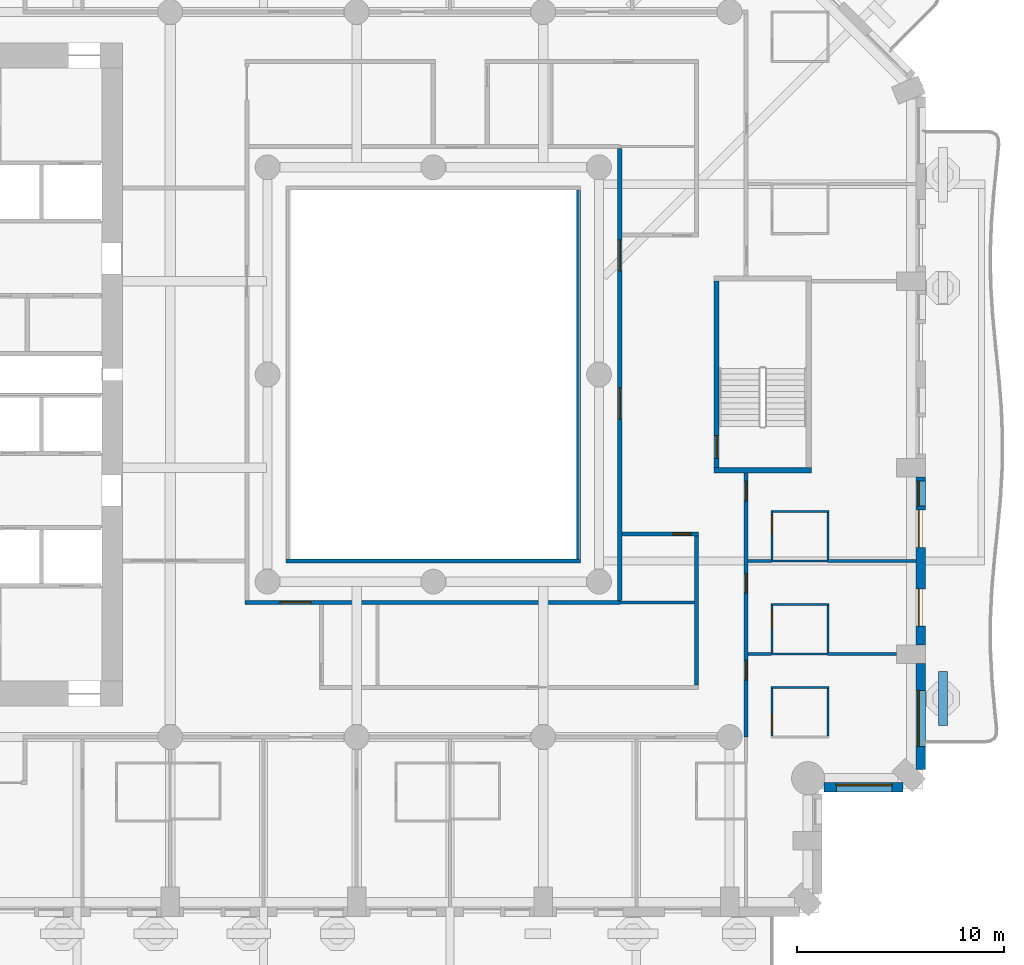
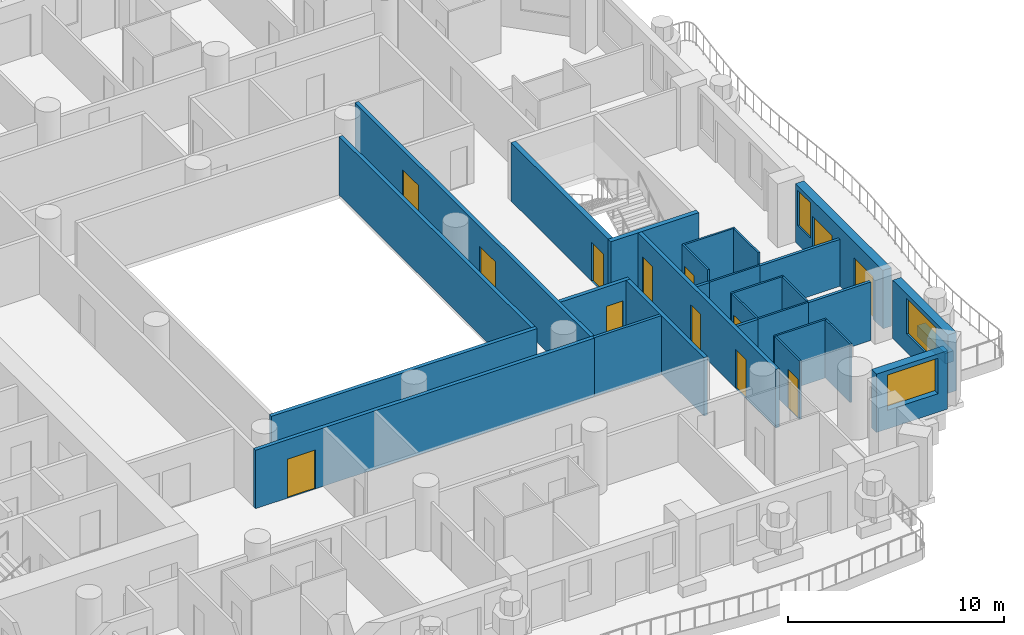
# One storey, part 6 of 20: 29 walls, 13 doors, 3 windows, 16 openings.
"""IFC4 building model written with IfcOpenShell, lengths in metres."""

from ifc_helpers import new_model, si_unit, direction, frame, frame_2d, origin, place, context, subcontext, project, spatial, rectangle, extrude, material, layer, layer_set, type_object, element, fill, save


model = new_model("IFC4")

# Units and contexts
model_context = context("Model", 3, precision=1e-05, world=origin(), true_north=direction((0.0, 1.0)))
body_context = subcontext(model_context, "Body", "Model", "MODEL_VIEW")
ifc_project = project(units=[si_unit("LENGTHUNIT", "METRE"), si_unit("AREAUNIT", "SQUARE_METRE"), si_unit("VOLUMEUNIT", "CUBIC_METRE"), si_unit("PLANEANGLEUNIT", "RADIAN"), si_unit("MASSUNIT", "GRAM", prefix="KILO")], contexts=[model_context])

# Site, building, storey
site_placement = place(None, origin())
site = spatial("IfcSite", under=ifc_project, at=site_placement, CompositionType="ELEMENT")
building_placement = place(site_placement, origin())
building = spatial("IfcBuilding", under=site, at=building_placement, Name="Cypress Arch Tower", CompositionType="ELEMENT")
storey_placement = place(building_placement, frame((0.0, 0.0, 80.699951171875)))
storey = spatial("IfcBuildingStorey", under=building, at=storey_placement, Name="L14", CompositionType="ELEMENT", Elevation=80.699951171875)

# Wall
ifc_material_1 = material(Name="Concrete C40/50, waterproofed", Category="concrete")
ifc_layer_1 = layer(ifc_material_1, 0.449951171875)
ifc_layer_set_1 = layer_set([ifc_layer_1], Name="Balcony planter wall PW450")
wall_type_1 = type_object("IfcWallType", Name="Balcony planter wall PW450", PredefinedType="SOLIDWALL", material=ifc_layer_set_1)
wall_1_placement = place(storey_placement, frame((25.60009765625, -16.949951171875, 0.0), z_axis=(0.0, 0.0, 1.0), x_axis=(0.0, 1.0, 0.0)))
element("IfcWall", 1, at=wall_1_placement, inside=storey, type_object=wall_type_1, Name="Balcony planter wall L14-A06.1", PredefinedType="SOLIDWALL", context=body_context, shape_type="SweptSolid", body=[
    extrude(rectangle(XDim=2.6142578125, YDim=0.449951171875, at=frame_2d((1.30712890625, 0.0))), origin(), (0.0, 0.0, 1.0), 0.60009765625),
])

# Wall, opening, window
ifc_material_2 = material(Name="Brick (red buff blend)", Category="masonry")
ifc_layer_2 = layer(ifc_material_2, 0.449951171875)
ifc_layer_set_2 = layer_set([ifc_layer_2], Name="Brick pier and spandrel wall BW450")
wall_type_2 = type_object("IfcWallType", Name="Brick pier and spandrel wall BW450", PredefinedType="SOLIDWALL", material=ifc_layer_set_2)
wall_2_placement = place(storey_placement, frame((19.8583984375, -19.925048828125, 0.0), z_axis=(0.0, 0.0, 1.0), x_axis=(1.0, 0.0, 0.0)))
wall_2 = element("IfcWall", 2, at=wall_2_placement, inside=storey, type_object=wall_type_2, Name="Brick wall L14 A05.0", PredefinedType="SOLIDWALL", context=body_context, shape_type="SweptSolid", body=[
    extrude(rectangle(XDim=3.80517578125, YDim=0.449951171875, at=frame_2d((1.902587890625, 0.0))), origin(), (0.0, 0.0, 1.0), 3.300048828125),
])
opening_1_placement = place(wall_2_placement, frame((0.591552734375, 0.0, 1.050048828125)))
opening_1 = element("IfcOpeningElement", 3, at=opening_1_placement, cuts=wall_2, Name="Opening W270H", PredefinedType="OPENING", context=body_context, shape_type="SweptSolid", body=[
    extrude(rectangle(XDim=2.699951171875, YDim=2.0, at=frame_2d((1.35009765625, 1.0))), frame((0.0, 0.23486328125, 0.0), z_axis=(0.0, -1.0, 0.0), x_axis=(1.0, 0.0, 0.0)), (0.0, 0.0, 1.0), 0.469970703125),
])
ifc_material_3 = material(Name="Anodised aluminium, bronze finish, clear low-emissivity double glazing", Category="aluminium")
window_type_1 = type_object("IfcWindowType", Name="Window Hotel 2700x2000", PartitioningType="SINGLE_PANEL", PredefinedType="WINDOW", material=ifc_material_3)
window_1_placement = place(opening_1_placement, origin())
window_1 = element("IfcWindow", 4, at=window_1_placement, inside=storey, type_object=window_type_1, Name="Window L14 A05.0.1", OverallHeight=2.0, OverallWidth=2.699951171875, PartitioningType="SINGLE_PANEL", PredefinedType="WINDOW", context=body_context, shape_type="SweptSolid", body=[
    extrude(rectangle(XDim=2.699951171875, YDim=2.0, at=frame_2d((1.35009765625, 1.0))), frame((0.0, 0.135009765625, 0.0), z_axis=(0.0, -1.0, 0.0), x_axis=(1.0, 0.0, 0.0)), (0.0, 0.0, 1.0), 0.06005859375),
])
fill(opening_1, window_1)

wall_3_placement = place(storey_placement, frame((24.52490234375, -19.063720703125, 0.0), z_axis=(0.0, 0.0, 1.0), x_axis=(0.0, 1.0, 0.0)))
wall_3 = element("IfcWall", 5, at=wall_3_placement, inside=storey, type_object=wall_type_2, Name="Brick wall L14 A06.0", PredefinedType="SOLIDWALL", context=body_context, shape_type="SweptSolid", body=[
    extrude(rectangle(XDim=5.11376953125, YDim=0.449951171875, at=frame_2d((2.556884765625, 0.0))), origin(), (0.0, 0.0, 1.0), 3.300048828125),
])
opening_2_placement = place(wall_3_placement, frame((1.113525390625, 0.0, 1.050048828125)))
opening_2 = element("IfcOpeningElement", 6, at=opening_2_placement, cuts=wall_3, Name="Opening W270HD", PredefinedType="OPENING", context=body_context, shape_type="SweptSolid", body=[
    extrude(rectangle(XDim=2.699951171875, YDim=2.0, at=frame_2d((1.35009765625, 1.0))), frame((0.0, 0.23486328125, 0.0), z_axis=(0.0, -1.0, 0.0), x_axis=(1.0, 0.0, 0.0)), (0.0, 0.0, 1.0), 0.469970703125),
])
ifc_material_4 = material(Name="Anodised aluminium, bronze finish, laminated low-emissivity double glazing, large-missile impact rated", Category="aluminium")
window_type_2 = type_object("IfcWindowType", Name="Window Hotel 2700x2000 debris-rated", PartitioningType="SINGLE_PANEL", PredefinedType="WINDOW", material=ifc_material_4)
window_2_placement = place(opening_2_placement, origin())
window_2 = element("IfcWindow", 7, at=window_2_placement, inside=storey, type_object=window_type_2, Name="Window L14 A06.0.1", OverallHeight=2.0, OverallWidth=2.699951171875, PartitioningType="SINGLE_PANEL", PredefinedType="WINDOW", context=body_context, shape_type="SweptSolid", body=[
    extrude(rectangle(XDim=2.699951171875, YDim=2.0, at=frame_2d((1.35009765625, 1.0))), frame((0.0, 0.135009765625, 0.0), z_axis=(0.0, -1.0, 0.0), x_axis=(1.0, 0.0, 0.0)), (0.0, 0.0, 1.0), 0.06005859375),
])
fill(opening_2, window_2)

# Wall, openings, doors, window
wall_4_placement = place(storey_placement, frame((24.52490234375, -13.050048828125, 0.0), z_axis=(0.0, 0.0, 1.0), x_axis=(0.0, 1.0, 0.0)))
wall_4 = element("IfcWall", 8, at=wall_4_placement, inside=storey, type_object=wall_type_2, Name="Brick wall L14 A06.1", PredefinedType="SOLIDWALL", context=body_context, shape_type="SweptSolid", body=[
    extrude(rectangle(XDim=8.10009765625, YDim=0.449951171875, at=frame_2d((4.050048828125, 0.0))), origin(), (0.0, 0.0, 1.0), 3.300048828125),
])
opening_3_placement = place(wall_4_placement, frame((0.89990234375, 0.0, 0.0)))
opening_3 = element("IfcOpeningElement", 9, at=opening_3_placement, cuts=wall_4, Name="Opening D-L14-A06.1.1", PredefinedType="OPENING", context=body_context, shape_type="SweptSolid", body=[
    extrude(rectangle(XDim=1.800048828125, YDim=2.39990234375, at=frame_2d((0.89990234375, 1.199951171875))), frame((0.0, 0.23486328125, 0.0), z_axis=(0.0, -1.0, 0.0), x_axis=(1.0, 0.0, 0.0)), (0.0, 0.0, 1.0), 0.469970703125),
])
opening_4_placement = place(wall_4_placement, frame((4.699951171875, 0.0, 0.0)))
opening_4 = element("IfcOpeningElement", 10, at=opening_4_placement, cuts=wall_4, Name="Opening D-L14-A06.1.2", PredefinedType="OPENING", context=body_context, shape_type="SweptSolid", body=[
    extrude(rectangle(XDim=1.800048828125, YDim=2.39990234375, at=frame_2d((0.89990234375, 1.199951171875))), frame((0.0, 0.23486328125, 0.0), z_axis=(0.0, -1.0, 0.0), x_axis=(1.0, 0.0, 0.0)), (0.0, 0.0, 1.0), 0.469970703125),
])
opening_5_placement = place(wall_4_placement, frame((6.699951171875, 0.0, 1.050048828125)))
opening_5 = element("IfcOpeningElement", 11, at=opening_5_placement, cuts=wall_4, Name="Opening W120HD", PredefinedType="OPENING", context=body_context, shape_type="SweptSolid", body=[
    extrude(rectangle(XDim=1.199951171875, YDim=2.0, at=frame_2d((0.60009765625, 1.0))), frame((0.0, 0.23486328125, 0.0), z_axis=(0.0, -1.0, 0.0), x_axis=(1.0, 0.0, 0.0)), (0.0, 0.0, 1.0), 0.469970703125),
])
ifc_material_5 = material(Name="Anodised aluminium, bronze finish, laminated low-emissivity double glazing, large-missile impact rated", Category="aluminium")
door_type_1 = type_object("IfcDoorType", Name="Balcony sliding door 1800x2400", OperationType="SLIDING_TO_LEFT", PredefinedType="DOOR", material=ifc_material_5)
door_1_placement = place(opening_3_placement, origin())
door_1 = element("IfcDoor", 12, at=door_1_placement, inside=storey, type_object=door_type_1, Name="Balcony door L14 A06.1.1", OperationType="SLIDING_TO_LEFT", OverallHeight=2.39990234375, OverallWidth=1.800048828125, PredefinedType="DOOR", context=body_context, shape_type="SweptSolid", body=[
    extrude(rectangle(XDim=1.800048828125, YDim=2.39990234375, at=frame_2d((0.89990234375, 1.199951171875))), frame((0.0, 0.1298828125, 0.0), z_axis=(0.0, -1.0, 0.0), x_axis=(1.0, 0.0, 0.0)), (0.0, 0.0, 1.0), 0.050048828125),
])
fill(opening_3, door_1)
door_2_placement = place(opening_4_placement, origin())
door_2 = element("IfcDoor", 13, at=door_2_placement, inside=storey, type_object=door_type_1, Name="Balcony door L14 A06.1.2", OperationType="SLIDING_TO_LEFT", OverallHeight=2.39990234375, OverallWidth=1.800048828125, PredefinedType="DOOR", context=body_context, shape_type="SweptSolid", body=[
    extrude(rectangle(XDim=1.800048828125, YDim=2.39990234375, at=frame_2d((0.89990234375, 1.199951171875))), frame((0.0, 0.1298828125, 0.0), z_axis=(0.0, -1.0, 0.0), x_axis=(1.0, 0.0, 0.0)), (0.0, 0.0, 1.0), 0.050048828125),
])
fill(opening_4, door_2)
ifc_material_6 = material(Name="Anodised aluminium, bronze finish, laminated low-emissivity double glazing, large-missile impact rated", Category="aluminium")
window_type_3 = type_object("IfcWindowType", Name="Window Hotel 1200x2000 debris-rated", PartitioningType="SINGLE_PANEL", PredefinedType="WINDOW", material=ifc_material_6)
window_3_placement = place(opening_5_placement, origin())
window_3 = element("IfcWindow", 14, at=window_3_placement, inside=storey, type_object=window_type_3, Name="Window L14 A06.1.2", OverallHeight=2.0, OverallWidth=1.199951171875, PartitioningType="SINGLE_PANEL", PredefinedType="WINDOW", context=body_context, shape_type="SweptSolid", body=[
    extrude(rectangle(XDim=1.199951171875, YDim=2.0, at=frame_2d((0.60009765625, 1.0))), frame((0.0, 0.135009765625, 0.0), z_axis=(0.0, -1.0, 0.0), x_axis=(1.0, 0.0, 0.0)), (0.0, 0.0, 1.0), 0.06005859375),
])
fill(opening_5, window_3)

# Wall, opening, door
ifc_material_7 = material(Name="Concrete blockwork, plastered, rated", Category="masonry")
ifc_layer_3 = layer(ifc_material_7, 0.199951171875)
ifc_layer_set_3 = layer_set([ifc_layer_3], Name="Corridor wall FW200")
wall_type_3 = type_object("IfcWallType", Name="Corridor wall FW200", PredefinedType="PARTITIONING", material=ifc_layer_set_3)
wall_5_placement = place(storey_placement, frame((-8.10009765625, -11.0, 0.0), z_axis=(0.0, 0.0, 1.0), x_axis=(1.0, 0.0, 0.0)))
wall_5 = element("IfcWall", 15, at=wall_5_placement, inside=storey, type_object=wall_type_3, Name="Corridor wall", PredefinedType="PARTITIONING", context=body_context, shape_type="SweptSolid", body=[
    extrude(rectangle(XDim=18.10009765625, YDim=0.199951171875, at=frame_2d((9.050048828125, 0.0))), origin(), (0.0, 0.0, 1.0), 3.300048828125),
])
opening_6_placement = place(wall_5_placement, frame((1.699951171875, 0.0, 0.0)))
opening_6 = element("IfcOpeningElement", 16, at=opening_6_placement, cuts=wall_5, Name="Opening D04", PredefinedType="OPENING", context=body_context, shape_type="SweptSolid", body=[
    extrude(rectangle(XDim=1.5, YDim=2.199951171875, at=frame_2d((0.75, 1.10009765625))), frame((0.0, 0.10986328125, 0.0), z_axis=(0.0, -1.0, 0.0), x_axis=(1.0, 0.0, 0.0)), (0.0, 0.0, 1.0), 0.219970703125),
])
ifc_material_8 = material(Name="Timber double door", Category="wood")
door_type_2 = type_object("IfcDoorType", Name="Double door D04 1500x2200", OperationType="DOUBLE_DOOR_SINGLE_SWING", PredefinedType="DOOR", material=ifc_material_8)
door_3_placement = place(opening_6_placement, origin())
door_3 = element("IfcDoor", 17, at=door_3_placement, inside=storey, type_object=door_type_2, Name="Double door", OperationType="DOUBLE_DOOR_SINGLE_SWING", OverallHeight=2.199951171875, OverallWidth=1.5, PredefinedType="DOOR", context=body_context, shape_type="SweptSolid", body=[
    extrude(rectangle(XDim=1.5, YDim=2.199951171875, at=frame_2d((0.75, 1.10009765625))), frame((0.0, 0.02490234375, 0.0), z_axis=(0.0, -1.0, 0.0), x_axis=(1.0, 0.0, 0.0)), (0.0, 0.0, 1.0), 0.050048828125),
])
fill(opening_6, door_3)

# Walls
wall_6_placement = place(storey_placement, frame((-6.10009765625, -9.0, 0.0), z_axis=(0.0, 0.0, 1.0), x_axis=(1.0, 0.0, 0.0)))
element("IfcWall", 18, at=wall_6_placement, inside=storey, type_object=wall_type_3, Name="Corridor wall", PredefinedType="PARTITIONING", context=body_context, shape_type="SweptSolid", body=[
    extrude(rectangle(XDim=14.2001953125, YDim=0.199951171875, at=frame_2d((7.10009765625, 0.0))), origin(), (0.0, 0.0, 1.0), 3.300048828125),
])
wall_7_placement = place(storey_placement, frame((8.0, -8.89990234375, 0.0), z_axis=(0.0, 0.0, 1.0), x_axis=(0.0, 1.0, 0.0)))
element("IfcWall", 19, at=wall_7_placement, inside=storey, type_object=wall_type_3, Name="Corridor wall", PredefinedType="PARTITIONING", context=body_context, shape_type="SweptSolid", body=[
    extrude(rectangle(XDim=17.7998046875, YDim=0.199951171875, at=frame_2d((8.89990234375, 0.0))), origin(), (0.0, 0.0, 1.0), 3.300048828125),
])

# Wall, openings, doors
wall_8_placement = place(storey_placement, frame((10.0, -10.89990234375, 0.0), z_axis=(0.0, 0.0, 1.0), x_axis=(0.0, 1.0, 0.0)))
wall_8 = element("IfcWall", 20, at=wall_8_placement, inside=storey, type_object=wall_type_3, Name="Corridor wall", PredefinedType="PARTITIONING", context=body_context, shape_type="SweptSolid", body=[
    extrude(rectangle(XDim=21.7998046875, YDim=0.199951171875, at=frame_2d((10.89990234375, 0.0))), origin(), (0.0, 0.0, 1.0), 3.300048828125),
])
opening_7_placement = place(wall_8_placement, frame((15.89990234375, 0.0, 0.0)))
opening_7 = element("IfcOpeningElement", 21, at=opening_7_placement, cuts=wall_8, Name="Opening D04", PredefinedType="OPENING", context=body_context, shape_type="SweptSolid", body=[
    extrude(rectangle(XDim=1.5, YDim=2.199951171875, at=frame_2d((0.75, 1.10009765625))), frame((0.0, 0.10986328125, 0.0), z_axis=(0.0, -1.0, 0.0), x_axis=(1.0, 0.0, 0.0)), (0.0, 0.0, 1.0), 0.219970703125),
])
opening_8_placement = place(wall_8_placement, frame((8.75, 0.0, 0.0)))
opening_8 = element("IfcOpeningElement", 22, at=opening_8_placement, cuts=wall_8, Name="Opening D04", PredefinedType="OPENING", context=body_context, shape_type="SweptSolid", body=[
    extrude(rectangle(XDim=1.5, YDim=2.199951171875, at=frame_2d((0.75, 1.10009765625))), frame((0.0, 0.10986328125, 0.0), z_axis=(0.0, -1.0, 0.0), x_axis=(1.0, 0.0, 0.0)), (0.0, 0.0, 1.0), 0.219970703125),
])
door_4_placement = place(opening_7_placement, origin())
door_4 = element("IfcDoor", 23, at=door_4_placement, inside=storey, type_object=door_type_2, Name="Double door", OperationType="DOUBLE_DOOR_SINGLE_SWING", OverallHeight=2.199951171875, OverallWidth=1.5, PredefinedType="DOOR", context=body_context, shape_type="SweptSolid", body=[
    extrude(rectangle(XDim=1.5, YDim=2.199951171875, at=frame_2d((0.75, 1.10009765625))), frame((0.0, 0.02490234375, 0.0), z_axis=(0.0, -1.0, 0.0), x_axis=(1.0, 0.0, 0.0)), (0.0, 0.0, 1.0), 0.050048828125),
])
fill(opening_7, door_4)
door_5_placement = place(opening_8_placement, origin())
door_5 = element("IfcDoor", 24, at=door_5_placement, inside=storey, type_object=door_type_2, Name="Double door", OperationType="DOUBLE_DOOR_SINGLE_SWING", OverallHeight=2.199951171875, OverallWidth=1.5, PredefinedType="DOOR", context=body_context, shape_type="SweptSolid", body=[
    extrude(rectangle(XDim=1.5, YDim=2.199951171875, at=frame_2d((0.75, 1.10009765625))), frame((0.0, 0.02490234375, 0.0), z_axis=(0.0, -1.0, 0.0), x_axis=(1.0, 0.0, 0.0)), (0.0, 0.0, 1.0), 0.050048828125),
])
fill(opening_8, door_5)

# Wall, opening, door
wall_9_placement = place(storey_placement, frame((10.10009765625, -7.699951171875, 0.0), z_axis=(0.0, 0.0, 1.0), x_axis=(1.0, 0.0, 0.0)))
wall_9 = element("IfcWall", 25, at=wall_9_placement, inside=storey, type_object=wall_type_3, Name="Corridor wall", PredefinedType="PARTITIONING", context=body_context, shape_type="SweptSolid", body=[
    extrude(rectangle(XDim=3.699951171875, YDim=0.199951171875, at=frame_2d((1.85009765625, 0.0))), origin(), (0.0, 0.0, 1.0), 3.300048828125),
])
opening_9_placement = place(wall_9_placement, frame((2.449951171875, 0.0, 0.0)))
opening_9 = element("IfcOpeningElement", 26, at=opening_9_placement, cuts=wall_9, Name="Opening D05", PredefinedType="OPENING", context=body_context, shape_type="SweptSolid", body=[
    extrude(rectangle(XDim=0.89990234375, YDim=2.199951171875, at=frame_2d((0.449951171875, 1.10009765625))), frame((0.0, 0.10986328125, 0.0), z_axis=(0.0, -1.0, 0.0), x_axis=(1.0, 0.0, 0.0)), (0.0, 0.0, 1.0), 0.219970703125),
])
ifc_material_9 = material(Name="Timber flush door", Category="wood")
door_type_3 = type_object("IfcDoorType", Name="Service door D05 900x2200", OperationType="SINGLE_SWING_LEFT", PredefinedType="DOOR", material=ifc_material_9)
door_6_placement = place(opening_9_placement, origin())
door_6 = element("IfcDoor", 27, at=door_6_placement, inside=storey, type_object=door_type_3, Name="Service door", OperationType="SINGLE_SWING_LEFT", OverallHeight=2.199951171875, OverallWidth=0.89990234375, PredefinedType="DOOR", context=body_context, shape_type="SweptSolid", body=[
    extrude(rectangle(XDim=0.89990234375, YDim=2.199951171875, at=frame_2d((0.449951171875, 1.10009765625))), frame((0.0, 0.02490234375, 0.0), z_axis=(0.0, -1.0, 0.0), x_axis=(1.0, 0.0, 0.0)), (0.0, 0.0, 1.0), 0.050048828125),
])
fill(opening_9, door_6)

# Wall
wall_10_placement = place(storey_placement, frame((13.699951171875, -15.0, 0.0), z_axis=(0.0, 0.0, 1.0), x_axis=(0.0, 1.0, 0.0)))
element("IfcWall", 28, at=wall_10_placement, inside=storey, type_object=wall_type_3, Name="Corridor wall", PredefinedType="PARTITIONING", context=body_context, shape_type="SweptSolid", body=[
    extrude(rectangle(XDim=7.199951171875, YDim=0.199951171875, at=frame_2d((3.60009765625, 0.0))), origin(), (0.0, 0.0, 1.0), 3.300048828125),
])

# Wall, openings, doors
wall_11_placement = place(storey_placement, frame((16.10009765625, -17.5, 0.0), z_axis=(0.0, 0.0, 1.0), x_axis=(0.0, 1.0, 0.0)))
wall_11 = element("IfcWall", 29, at=wall_11_placement, inside=storey, type_object=wall_type_3, Name="Corridor wall", PredefinedType="PARTITIONING", context=body_context, shape_type="SweptSolid", body=[
    extrude(rectangle(XDim=12.75, YDim=0.199951171875, at=frame_2d((6.375, 0.0))), origin(), (0.0, 0.0, 1.0), 3.300048828125),
])
opening_10_placement = place(wall_11_placement, frame((2.75, 0.0, 0.0)))
opening_10 = element("IfcOpeningElement", 30, at=opening_10_placement, cuts=wall_11, Name="Opening D02", PredefinedType="OPENING", context=body_context, shape_type="SweptSolid", body=[
    extrude(rectangle(XDim=0.949951171875, YDim=2.199951171875, at=frame_2d((0.47509765625, 1.10009765625))), frame((0.0, 0.10986328125, 0.0), z_axis=(0.0, -1.0, 0.0), x_axis=(1.0, 0.0, 0.0)), (0.0, 0.0, 1.0), 0.219970703125),
])
opening_11_placement = place(wall_11_placement, frame((6.949951171875, 0.0, 0.0)))
opening_11 = element("IfcOpeningElement", 31, at=opening_11_placement, cuts=wall_11, Name="Opening D02", PredefinedType="OPENING", context=body_context, shape_type="SweptSolid", body=[
    extrude(rectangle(XDim=0.949951171875, YDim=2.199951171875, at=frame_2d((0.47509765625, 1.10009765625))), frame((0.0, 0.10986328125, 0.0), z_axis=(0.0, -1.0, 0.0), x_axis=(1.0, 0.0, 0.0)), (0.0, 0.0, 1.0), 0.219970703125),
])
opening_12_placement = place(wall_11_placement, frame((11.39990234375, 0.0, 0.0)))
opening_12 = element("IfcOpeningElement", 32, at=opening_12_placement, cuts=wall_11, Name="Opening D02", PredefinedType="OPENING", context=body_context, shape_type="SweptSolid", body=[
    extrude(rectangle(XDim=0.949951171875, YDim=2.199951171875, at=frame_2d((0.47509765625, 1.10009765625))), frame((0.0, 0.10986328125, 0.0), z_axis=(0.0, -1.0, 0.0), x_axis=(1.0, 0.0, 0.0)), (0.0, 0.0, 1.0), 0.219970703125),
])
ifc_material_10 = material(Name="Timber flush door, fire resisting", Category="wood")
door_type_4 = type_object("IfcDoorType", Name="Room door D02 950x2200", OperationType="SINGLE_SWING_LEFT", PredefinedType="DOOR", material=ifc_material_10)
door_7_placement = place(opening_10_placement, origin())
door_7 = element("IfcDoor", 33, at=door_7_placement, inside=storey, type_object=door_type_4, Name="Room door", OperationType="SINGLE_SWING_LEFT", OverallHeight=2.199951171875, OverallWidth=0.949951171875, PredefinedType="DOOR", context=body_context, shape_type="SweptSolid", body=[
    extrude(rectangle(XDim=0.949951171875, YDim=2.199951171875, at=frame_2d((0.47509765625, 1.10009765625))), frame((0.0, 0.02490234375, 0.0), z_axis=(0.0, -1.0, 0.0), x_axis=(1.0, 0.0, 0.0)), (0.0, 0.0, 1.0), 0.050048828125),
])
fill(opening_10, door_7)
door_8_placement = place(opening_11_placement, origin())
door_8 = element("IfcDoor", 34, at=door_8_placement, inside=storey, type_object=door_type_4, Name="Room door", OperationType="SINGLE_SWING_LEFT", OverallHeight=2.199951171875, OverallWidth=0.949951171875, PredefinedType="DOOR", context=body_context, shape_type="SweptSolid", body=[
    extrude(rectangle(XDim=0.949951171875, YDim=2.199951171875, at=frame_2d((0.47509765625, 1.10009765625))), frame((0.0, 0.02490234375, 0.0), z_axis=(0.0, -1.0, 0.0), x_axis=(1.0, 0.0, 0.0)), (0.0, 0.0, 1.0), 0.050048828125),
])
fill(opening_11, door_8)
door_9_placement = place(opening_12_placement, origin())
door_9 = element("IfcDoor", 35, at=door_9_placement, inside=storey, type_object=door_type_4, Name="Room door", OperationType="SINGLE_SWING_LEFT", OverallHeight=2.199951171875, OverallWidth=0.949951171875, PredefinedType="DOOR", context=body_context, shape_type="SweptSolid", body=[
    extrude(rectangle(XDim=0.949951171875, YDim=2.199951171875, at=frame_2d((0.47509765625, 1.10009765625))), frame((0.0, 0.02490234375, 0.0), z_axis=(0.0, -1.0, 0.0), x_axis=(1.0, 0.0, 0.0)), (0.0, 0.0, 1.0), 0.050048828125),
])
fill(opening_12, door_9)

# Walls
ifc_material_11 = material(Name="Blockwork, plastered both sides", Category="masonry")
ifc_layer_4 = layer(ifc_material_11, 0.14990234375)
ifc_layer_set_4 = layer_set([ifc_layer_4], Name="Partition PW150")
wall_type_4 = type_object("IfcWallType", Name="Partition PW150", PredefinedType="PARTITIONING", material=ifc_layer_set_4)
wall_12_placement = place(storey_placement, frame((10.0, -11.0, 0.0), z_axis=(0.0, 0.0, 1.0), x_axis=(1.0, 0.0, 0.0)))
element("IfcWall", 36, at=wall_12_placement, inside=storey, type_object=wall_type_4, Name="Partition", PredefinedType="PARTITIONING", context=body_context, shape_type="SweptSolid", body=[
    extrude(rectangle(XDim=3.60009765625, YDim=0.14990234375, at=frame_2d((1.800048828125, 0.0))), origin(), (0.0, 0.0, 1.0), 3.300048828125),
])
wall_13_placement = place(storey_placement, frame((16.199951171875, -13.5, 0.0), z_axis=(0.0, 0.0, 1.0), x_axis=(1.0, 0.0, 0.0)))
element("IfcWall", 37, at=wall_13_placement, inside=storey, type_object=wall_type_4, Name="Partition", PredefinedType="PARTITIONING", context=body_context, shape_type="SweptSolid", body=[
    extrude(rectangle(XDim=1.130126953125, YDim=0.14990234375, at=frame_2d((0.56494140625, 0.0))), origin(), (0.0, 0.0, 1.0), 3.300048828125),
])
wall_14_placement = place(storey_placement, frame((16.199951171875, -9.0, 0.0), z_axis=(0.0, 0.0, 1.0), x_axis=(1.0, 0.0, 0.0)))
element("IfcWall", 38, at=wall_14_placement, inside=storey, type_object=wall_type_4, Name="Partition", PredefinedType="PARTITIONING", context=body_context, shape_type="SweptSolid", body=[
    extrude(rectangle(XDim=1.130126953125, YDim=0.14990234375, at=frame_2d((0.56494140625, 0.0))), origin(), (0.0, 0.0, 1.0), 2.650146484375),
])
wall_15_placement = place(storey_placement, frame((20.030029296875, -13.5, 0.0), z_axis=(0.0, 0.0, 1.0), x_axis=(1.0, 0.0, 0.0)))
element("IfcWall", 39, at=wall_15_placement, inside=storey, type_object=wall_type_4, Name="Partition", PredefinedType="PARTITIONING", context=body_context, shape_type="SweptSolid", body=[
    extrude(rectangle(XDim=3.320068359375, YDim=0.14990234375, at=frame_2d((1.66015625, 0.0))), origin(), (0.0, 0.0, 1.0), 3.300048828125),
])
wall_16_placement = place(storey_placement, frame((20.030029296875, -9.0, 0.0), z_axis=(0.0, 0.0, 1.0), x_axis=(1.0, 0.0, 0.0)))
element("IfcWall", 40, at=wall_16_placement, inside=storey, type_object=wall_type_4, Name="Partition", PredefinedType="PARTITIONING", context=body_context, shape_type="SweptSolid", body=[
    extrude(rectangle(XDim=4.27001953125, YDim=0.14990234375, at=frame_2d((2.135009765625, 0.0))), origin(), (0.0, 0.0, 1.0), 2.650146484375),
])

# Wall, opening, door
ifc_material_12 = material(Name="Concrete C50/60", Category="concrete")
ifc_layer_5 = layer(ifc_material_12, 0.25)
ifc_layer_set_5 = layer_set([ifc_layer_5], Name="Stair enclosure wall SW250")
wall_type_5 = type_object("IfcWallType", Name="Stair enclosure wall SW250", PredefinedType="SHEAR", material=ifc_layer_set_5)
wall_17_placement = place(storey_placement, frame((14.675048828125, -4.5, 0.0), z_axis=(0.0, 0.0, 1.0), x_axis=(0.0, 1.0, 0.0)))
wall_17 = element("IfcWall", 41, at=wall_17_placement, inside=storey, type_object=wall_type_5, Name="Stair enclosure wall", PredefinedType="SHEAR", context=body_context, shape_type="SweptSolid", body=[
    extrude(rectangle(XDim=9.0, YDim=0.25, at=frame_2d((4.5, 0.0))), origin(), (0.0, 0.0, 1.0), 3.300048828125),
])
opening_13_placement = place(wall_17_placement, frame((0.449951171875, 0.0, 0.0)))
opening_13 = element("IfcOpeningElement", 42, at=opening_13_placement, cuts=wall_17, Name="Opening D06", PredefinedType="OPENING", context=body_context, shape_type="SweptSolid", body=[
    extrude(rectangle(XDim=1.10009765625, YDim=2.199951171875, at=frame_2d((0.550048828125, 1.10009765625))), frame((0.0, 0.135009765625, 0.0), z_axis=(0.0, -1.0, 0.0), x_axis=(1.0, 0.0, 0.0)), (0.0, 0.0, 1.0), 0.27001953125),
])
ifc_material_13 = material(Name="Steel door, fire resisting, panic bar", Category="steel")
door_type_5 = type_object("IfcDoorType", Name="Stair door D06 1100x2200", OperationType="SINGLE_SWING_LEFT", PredefinedType="DOOR", material=ifc_material_13)
door_10_placement = place(opening_13_placement, origin())
door_10 = element("IfcDoor", 43, at=door_10_placement, inside=storey, type_object=door_type_5, Name="Stair door", OperationType="SINGLE_SWING_RIGHT", OverallHeight=2.199951171875, OverallWidth=1.10009765625, PredefinedType="DOOR", context=body_context, shape_type="SweptSolid", body=[
    extrude(rectangle(XDim=1.10009765625, YDim=2.199951171875, at=frame_2d((0.550048828125, 1.10009765625))), frame((0.0, 0.02490234375, 0.0), z_axis=(0.0, -1.0, 0.0), x_axis=(1.0, 0.0, 0.0)), (0.0, 0.0, 1.0), 0.050048828125),
])
fill(opening_13, door_10)

# Walls
wall_18_placement = place(storey_placement, frame((14.550048828125, -4.625, 0.0), z_axis=(0.0, 0.0, 1.0), x_axis=(1.0, 0.0, 0.0)))
element("IfcWall", 44, at=wall_18_placement, inside=storey, type_object=wall_type_5, Name="Stair enclosure wall", PredefinedType="SHEAR", context=body_context, shape_type="SweptSolid", body=[
    extrude(rectangle(XDim=4.699951171875, YDim=0.25, at=frame_2d((2.35009765625, 0.0))), origin(), (0.0, 0.0, 1.0), 3.300048828125),
])
ifc_material_14 = material(Name="Moisture resistant board on steel studs, tiled", Category="steel")
ifc_layer_6 = layer(ifc_material_14, 0.10009765625)
ifc_layer_set_6 = layer_set([ifc_layer_6], Name="Wet wall PW100")
wall_type_6 = type_object("IfcWallType", Name="Wet wall PW100", PredefinedType="PARTITIONING", material=ifc_layer_set_6)
wall_19_placement = place(storey_placement, frame((17.330078125, -13.5, 0.0), z_axis=(0.0, 0.0, 1.0), x_axis=(1.0, 0.0, 0.0)))
element("IfcWall", 45, at=wall_19_placement, inside=storey, type_object=wall_type_6, Name="Wet wall", PredefinedType="PARTITIONING", context=body_context, shape_type="SweptSolid", body=[
    extrude(rectangle(XDim=2.699951171875, YDim=0.10009765625, at=frame_2d((1.35009765625, 0.0))), origin(), (0.0, 0.0, 1.0), 3.300048828125),
])
wall_20_placement = place(storey_placement, frame((17.330078125, -9.0, 0.0), z_axis=(0.0, 0.0, 1.0), x_axis=(1.0, 0.0, 0.0)))
element("IfcWall", 46, at=wall_20_placement, inside=storey, type_object=wall_type_6, Name="Wet wall", PredefinedType="PARTITIONING", context=body_context, shape_type="SweptSolid", body=[
    extrude(rectangle(XDim=2.699951171875, YDim=0.10009765625, at=frame_2d((1.35009765625, 0.0))), origin(), (0.0, 0.0, 1.0), 2.650146484375),
])

# Wall, opening, door
wall_21_placement = place(storey_placement, frame((17.35009765625, -17.449951171875, 0.0), z_axis=(0.0, 0.0, 1.0), x_axis=(0.0, 1.0, 0.0)))
wall_21 = element("IfcWall", 47, at=wall_21_placement, inside=storey, type_object=wall_type_6, Name="Wet wall", PredefinedType="PARTITIONING", context=body_context, shape_type="SweptSolid", body=[
    extrude(rectangle(XDim=2.300048828125, YDim=0.10009765625, at=frame_2d((1.14990234375, 0.0))), origin(), (0.0, 0.0, 1.0), 3.300048828125),
])
opening_14_placement = place(wall_21_placement, frame((0.14990234375, 0.0, 0.0)))
opening_14 = element("IfcOpeningElement", 48, at=opening_14_placement, cuts=wall_21, Name="Opening D03", PredefinedType="OPENING", context=body_context, shape_type="SweptSolid", body=[
    extrude(rectangle(XDim=0.89990234375, YDim=2.199951171875, at=frame_2d((0.449951171875, 1.10009765625))), frame((0.0, 0.06005859375, 0.0), z_axis=(0.0, -1.0, 0.0), x_axis=(1.0, 0.0, 0.0)), (0.0, 0.0, 1.0), 0.1201171875),
])
ifc_material_15 = material(Name="Timber flush door, moisture resistant", Category="wood")
door_type_6 = type_object("IfcDoorType", Name="Bathroom door D03 900x2200", OperationType="SINGLE_SWING_LEFT", PredefinedType="DOOR", material=ifc_material_15)
door_11_placement = place(opening_14_placement, origin())
door_11 = element("IfcDoor", 49, at=door_11_placement, inside=storey, type_object=door_type_6, Name="Bathroom door", OperationType="SINGLE_SWING_RIGHT", OverallHeight=2.199951171875, OverallWidth=0.89990234375, PredefinedType="DOOR", context=body_context, shape_type="SweptSolid", body=[
    extrude(rectangle(XDim=0.89990234375, YDim=2.199951171875, at=frame_2d((0.449951171875, 1.10009765625))), frame((0.0, 0.02490234375, 0.0), z_axis=(0.0, -1.0, 0.0), x_axis=(1.0, 0.0, 0.0)), (0.0, 0.0, 1.0), 0.050048828125),
])
fill(opening_14, door_11)

# Wall
wall_22_placement = place(storey_placement, frame((17.300048828125, -15.10009765625, 0.0), z_axis=(0.0, 0.0, 1.0), x_axis=(1.0, 0.0, 0.0)))
element("IfcWall", 50, at=wall_22_placement, inside=storey, type_object=wall_type_6, Name="Wet wall", PredefinedType="PARTITIONING", context=body_context, shape_type="SweptSolid", body=[
    extrude(rectangle(XDim=2.800048828125, YDim=0.10009765625, at=frame_2d((1.39990234375, 0.0))), origin(), (0.0, 0.0, 1.0), 3.300048828125),
])

# Wall, opening, door
wall_23_placement = place(storey_placement, frame((17.35009765625, -13.449951171875, 0.0), z_axis=(0.0, 0.0, 1.0), x_axis=(0.0, 1.0, 0.0)))
wall_23 = element("IfcWall", 51, at=wall_23_placement, inside=storey, type_object=wall_type_6, Name="Wet wall", PredefinedType="PARTITIONING", context=body_context, shape_type="SweptSolid", body=[
    extrude(rectangle(XDim=2.2958984375, YDim=0.10009765625, at=frame_2d((1.14794921875, 0.0))), origin(), (0.0, 0.0, 1.0), 3.300048828125),
])
opening_15_placement = place(wall_23_placement, frame((1.199951171875, 0.0, 0.0)))
opening_15 = element("IfcOpeningElement", 52, at=opening_15_placement, cuts=wall_23, Name="Opening D03", PredefinedType="OPENING", context=body_context, shape_type="SweptSolid", body=[
    extrude(rectangle(XDim=0.89990234375, YDim=2.199951171875, at=frame_2d((0.449951171875, 1.10009765625))), frame((0.0, 0.06005859375, 0.0), z_axis=(0.0, -1.0, 0.0), x_axis=(1.0, 0.0, 0.0)), (0.0, 0.0, 1.0), 0.1201171875),
])
door_12_placement = place(opening_15_placement, origin())
door_12 = element("IfcDoor", 53, at=door_12_placement, inside=storey, type_object=door_type_6, Name="Bathroom door", OperationType="SINGLE_SWING_LEFT", OverallHeight=2.199951171875, OverallWidth=0.89990234375, PredefinedType="DOOR", context=body_context, shape_type="SweptSolid", body=[
    extrude(rectangle(XDim=0.89990234375, YDim=2.199951171875, at=frame_2d((0.449951171875, 1.10009765625))), frame((0.0, 0.02490234375, 0.0), z_axis=(0.0, -1.0, 0.0), x_axis=(1.0, 0.0, 0.0)), (0.0, 0.0, 1.0), 0.050048828125),
])
fill(opening_15, door_12)

# Wall
wall_24_placement = place(storey_placement, frame((17.300048828125, -11.10400390625, 0.0), z_axis=(0.0, 0.0, 1.0), x_axis=(1.0, 0.0, 0.0)))
element("IfcWall", 54, at=wall_24_placement, inside=storey, type_object=wall_type_6, Name="Wet wall", PredefinedType="PARTITIONING", context=body_context, shape_type="SweptSolid", body=[
    extrude(rectangle(XDim=2.800048828125, YDim=0.10009765625, at=frame_2d((1.39990234375, 0.0))), origin(), (0.0, 0.0, 1.0), 3.300048828125),
])

# Wall, opening, door
wall_25_placement = place(storey_placement, frame((17.35009765625, -8.949951171875, 0.0), z_axis=(0.0, 0.0, 1.0), x_axis=(0.000407580973, 0.999999916939, 0.0)))
wall_25 = element("IfcWall", 55, at=wall_25_placement, inside=storey, type_object=wall_type_6, Name="Wet wall", PredefinedType="PARTITIONING", context=body_context, shape_type="SweptSolid", body=[
    extrude(rectangle(XDim=2.39599609375, YDim=0.10009765625, at=frame_2d((1.197998046875, 0.0))), origin(), (0.0, 0.0, 1.0), 3.300048828125),
])
opening_16_placement = place(wall_25_placement, frame((1.25, 0.0, 0.0)))
opening_16 = element("IfcOpeningElement", 56, at=opening_16_placement, cuts=wall_25, Name="Opening D03", PredefinedType="OPENING", context=body_context, shape_type="SweptSolid", body=[
    extrude(rectangle(XDim=0.89990234375, YDim=2.199951171875, at=frame_2d((0.449951171875, 1.10009765625))), frame((0.0, 0.06005859375, 0.0), z_axis=(0.0, -1.0, 0.0), x_axis=(1.0, 0.0, 0.0)), (0.0, 0.0, 1.0), 0.1201171875),
])
door_13_placement = place(opening_16_placement, origin())
door_13 = element("IfcDoor", 57, at=door_13_placement, inside=storey, type_object=door_type_6, Name="Bathroom door", OperationType="SINGLE_SWING_LEFT", OverallHeight=2.199951171875, OverallWidth=0.89990234375, PredefinedType="DOOR", context=body_context, shape_type="SweptSolid", body=[
    extrude(rectangle(XDim=0.89990234375, YDim=2.199951171875, at=frame_2d((0.449951171875, 1.10009765625))), frame((0.0, 0.02490234375, 0.0), z_axis=(0.0, -1.0, 0.0), x_axis=(1.0, 0.0, 0.0)), (0.0, 0.0, 1.0), 0.050048828125),
])
fill(opening_16, door_13)

# Walls
wall_26_placement = place(storey_placement, frame((17.40087890625, -6.60400390625, 0.0), z_axis=(0.0, 0.0, 1.0), x_axis=(0.9999999346, -0.000361663629, 0.0)))
element("IfcWall", 58, at=wall_26_placement, inside=storey, type_object=wall_type_6, Name="Wet wall", PredefinedType="PARTITIONING", context=body_context, shape_type="SweptSolid", body=[
    extrude(rectangle(XDim=2.7001953125, YDim=0.10009765625, at=frame_2d((1.35009765625, 0.0))), origin(), (0.0, 0.0, 1.0), 3.300048828125),
])
wall_27_placement = place(storey_placement, frame((20.050048828125, -17.449951171875, 0.0), z_axis=(0.0, 0.0, 1.0), x_axis=(0.0, 1.0, 0.0)))
element("IfcWall", 59, at=wall_27_placement, inside=storey, type_object=wall_type_6, Name="Wet wall", PredefinedType="PARTITIONING", context=body_context, shape_type="SweptSolid", body=[
    extrude(rectangle(XDim=2.300048828125, YDim=0.10009765625, at=frame_2d((1.14990234375, 0.0))), origin(), (0.0, 0.0, 1.0), 3.300048828125),
])
wall_28_placement = place(storey_placement, frame((20.050048828125, -13.425048828125, 0.0), z_axis=(0.0, 0.0, 1.0), x_axis=(0.0, 1.0, 0.0)))
element("IfcWall", 60, at=wall_28_placement, inside=storey, type_object=wall_type_6, Name="Wet wall", PredefinedType="PARTITIONING", context=body_context, shape_type="SweptSolid", body=[
    extrude(rectangle(XDim=2.27099609375, YDim=0.10009765625, at=frame_2d((1.135498046875, 0.0))), origin(), (0.0, 0.0, 1.0), 3.300048828125),
])
wall_29_placement = place(storey_placement, frame((20.050048828125, -8.925048828125, 0.0), z_axis=(0.0, 0.0, 1.0), x_axis=(0.000430200003, 0.999999907464, 0.0)))
element("IfcWall", 61, at=wall_29_placement, inside=storey, type_object=wall_type_6, Name="Wet wall", PredefinedType="PARTITIONING", context=body_context, shape_type="SweptSolid", body=[
    extrude(rectangle(XDim=2.27001953125, YDim=0.10009765625, at=frame_2d((1.135009765625, 0.0))), origin(), (0.0, 0.0, 1.0), 3.300048828125),
])

save(model, "model.ifc")
